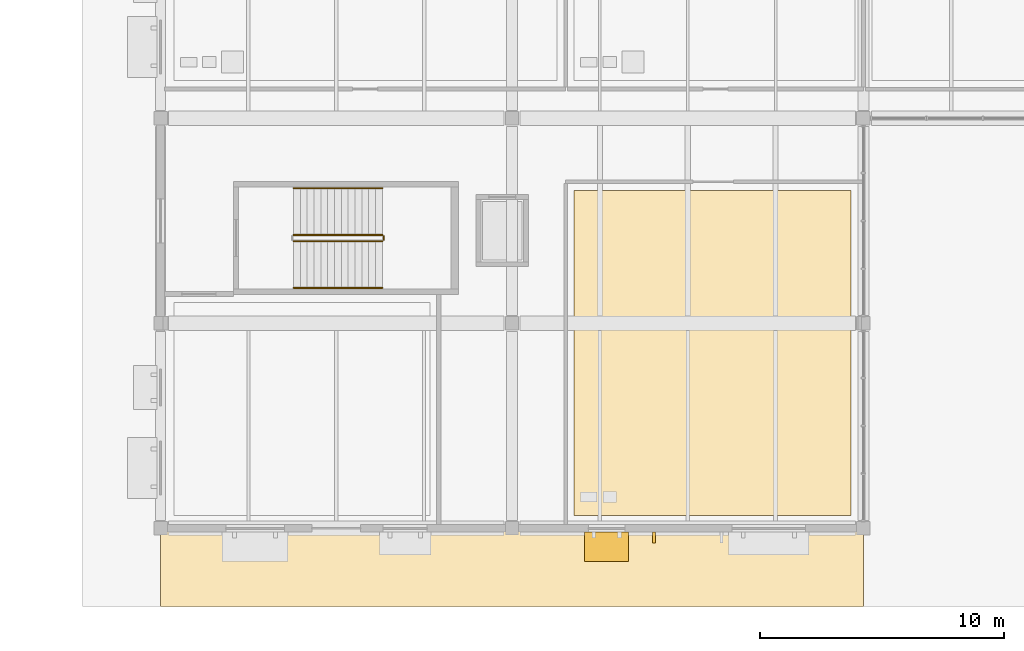
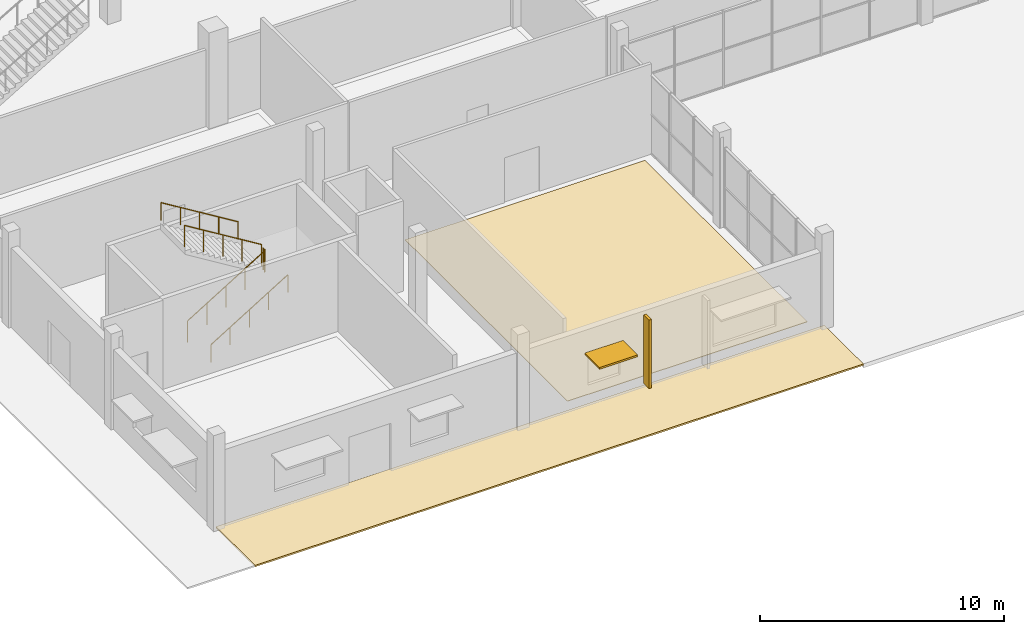
# One storey, part 109 of 130: 5 railings, 2 coverings, 2 shading devices.
"""IFC4 building model written with IfcOpenShell, lengths in metres."""

import ifcopenshell
import ifcopenshell.guid

model = None  # the IFC model being written
_history = None  # IfcOwnerHistory: only IFC2X3 demands one
_inside = {}  # id of a spatial element -> (the spatial element, [elements in it])
_under = {}  # id of a project, library or spatial element -> (it, [spatial elements below it])
_declared = {}  # id of a project -> (the project, [libraries it declares])
_typed = {}  # id of a type object -> (the type object, [elements of that type])
_made_of = {}  # id of a material, layer set ... -> (it, [elements and type objects made of it])


def new_model(schema):
    """Start an empty IFC model of exactly this schema.

    Asked for "IFC4X3", IfcOpenShell would pick the latest addendum, in which some entities
    have other attributes; the version numbers below select the first issue.
    IFC2X3 requires an IfcOwnerHistory on every rooted entity: one is made here for all.
    """
    global model, _history
    if schema == "IFC4X3":
        model = ifcopenshell.file(schema_version=(4, 3, 0, 0))
    else:
        model = ifcopenshell.file(schema=schema)
    _inside.clear()
    _under.clear()
    _declared.clear()
    _typed.clear()
    _made_of.clear()
    _history = None
    if model.schema == "IFC2X3":
        org = make("IfcOrganization", Name="unknown")
        user = make(
            "IfcPersonAndOrganization",
            ThePerson=make("IfcPerson", FamilyName="unknown"),
            TheOrganization=org,
        )
        app = make(
            "IfcApplication",
            ApplicationDeveloper=org,
            Version="unknown",
            ApplicationFullName="unknown",
            ApplicationIdentifier="unknown",
        )
        _history = make(
            "IfcOwnerHistory",
            OwningUser=user,
            OwningApplication=app,
            ChangeAction="ADDED",
            CreationDate=0,
        )
    return model


def make(cls, **values):
    """One entity of the class cls with the attributes given. An attribute that is None is left unset."""
    return model.create_entity(
        cls, **{name: value for name, value in values.items() if value is not None}
    )


def rooted(cls, **values):
    """An entity with a GlobalId (a new one), such as an element, a storey or a relation."""
    return make(cls, GlobalId=ifcopenshell.guid.new(), OwnerHistory=_history, **values)


def si_unit(unit_type, name, prefix=None):
    """IfcSIUnit, for example si_unit("LENGTHUNIT", "METRE", prefix="MILLI")."""
    return make("IfcSIUnit", UnitType=unit_type, Prefix=prefix, Name=name)


def assignment(units):
    """IfcUnitAssignment: the units of a project."""
    return None if units is None else make("IfcUnitAssignment", Units=units)


def point(xyz):
    """IfcCartesianPoint."""
    return None if xyz is None else make("IfcCartesianPoint", Coordinates=xyz)


def direction(xyz):
    """IfcDirection."""
    return None if xyz is None else make("IfcDirection", DirectionRatios=xyz)


def frame(location, z_axis=None, x_axis=None):
    """IfcAxis2Placement3D, a coordinate frame: its origin and axes. An axis left out is left unset."""
    return make(
        "IfcAxis2Placement3D",
        Location=point(location),
        Axis=direction(z_axis),
        RefDirection=direction(x_axis),
    )


def frame_2d(location, x_axis=None):
    """IfcAxis2Placement2D, a coordinate frame in the plane: its origin and x axis."""
    return make(
        "IfcAxis2Placement2D", Location=point(location), RefDirection=direction(x_axis)
    )


def origin():
    """The frame at (0, 0, 0) with its axes left unset."""
    return frame((0.0, 0.0, 0.0))


def origin_2d():
    """The frame at (0, 0) in the plane with its x axis left unset."""
    return frame_2d((0.0, 0.0))


def place(relative_to, where):
    """IfcLocalPlacement: puts the frame where relative to a parent placement (None: the world)."""
    return make(
        "IfcLocalPlacement", PlacementRelTo=relative_to, RelativePlacement=where
    )


def context(
    kind, dimensions, precision=None, world=None, true_north=None, identifier=None
):
    """IfcGeometricRepresentationContext, for example the 3D "Model" context."""
    return make(
        "IfcGeometricRepresentationContext",
        ContextIdentifier=identifier,
        ContextType=kind,
        CoordinateSpaceDimension=dimensions,
        Precision=precision,
        WorldCoordinateSystem=world,
        TrueNorth=true_north,
    )


def subcontext(parent, identifier, kind, view, scale=None):
    """IfcGeometricRepresentationSubContext, for example "Body" below "Model"."""
    return make(
        "IfcGeometricRepresentationSubContext",
        ContextIdentifier=identifier,
        ContextType=kind,
        ParentContext=parent,
        TargetScale=scale,
        TargetView=view,
    )


def project(units=None, contexts=None):
    """IfcProject with its units and contexts."""
    return rooted(
        "IfcProject",
        Name="project",
        RepresentationContexts=contexts,
        UnitsInContext=assignment(units),
    )


def spatial(cls, under=None, at=None, **own):
    """A site, building, storey or space (cls), placed at a placement, below another one or the project."""
    s = rooted(cls, ObjectPlacement=at, **own)
    if under is not None:
        _under.setdefault(under.id(), (under, []))[1].append(s)
    return s


def polyline(points):
    """IfcPolyline through the points."""
    return make("IfcPolyline", Points=[point(p) for p in points])


def profile(cls, at=None, kind="AREA", **sizes):
    """A parametric profile (cls). Its sizes go by their IFC names, for example OverallWidth=200.0."""
    return make(cls, ProfileType=kind, Position=at, **sizes)


def rectangle(**sizes):
    """IfcRectangleProfileDef."""
    return profile("IfcRectangleProfileDef", **sizes)


def circle(**sizes):
    """IfcCircleProfileDef."""
    return profile("IfcCircleProfileDef", **sizes)


def outline(outer, holes=None, kind="AREA"):
    """IfcArbitraryClosedProfileDef: a profile drawn as a closed curve; with holes, ...WithVoids."""
    if holes is None:
        return make("IfcArbitraryClosedProfileDef", ProfileType=kind, OuterCurve=outer)
    return make(
        "IfcArbitraryProfileDefWithVoids",
        ProfileType=kind,
        OuterCurve=outer,
        InnerCurves=holes,
    )


def extrude(swept, where, along, depth):
    """IfcExtrudedAreaSolid: the profile swept, set in the frame where, extruded along a direction by depth."""
    return make(
        "IfcExtrudedAreaSolid",
        SweptArea=swept,
        Position=where,
        ExtrudedDirection=direction(along),
        Depth=depth,
    )


def shape(context_of_items, identifier, shape_type, items):
    """IfcShapeRepresentation: the items that make up one representation, for example the "Body"."""
    return make(
        "IfcShapeRepresentation",
        ContextOfItems=context_of_items,
        RepresentationIdentifier=identifier,
        RepresentationType=shape_type,
        Items=items,
    )


def material(Name=None, Category=None):
    """IfcMaterial."""
    return make("IfcMaterial", Name=Name, Category=Category)


def layer(
    of_material, thickness, ventilated=None, Name=None, Category=None, Priority=None
):
    """IfcMaterialLayer: one layer of a wall or slab, of a material (None: an air gap)."""
    return make(
        "IfcMaterialLayer",
        Material=of_material,
        LayerThickness=thickness,
        IsVentilated=ventilated,
        Name=Name,
        Category=Category,
        Priority=Priority,
    )


def layer_set(layers, Name=None):
    """IfcMaterialLayerSet."""
    return make("IfcMaterialLayerSet", MaterialLayers=layers, LayerSetName=Name)


def made_of(thing, what):
    """Note that an element or type object is made of a material, layer set ...; save() writes the relation."""
    if what is not None:
        _made_of.setdefault(what.id(), (what, []))[1].append(thing)
    return thing


def type_object(cls, material=None, **own):
    """A type object (cls), such as IfcWallType, which elements share."""
    return made_of(rooted(cls, **own), material)


def element(
    cls,
    number,
    at=None,
    inside=None,
    cuts=None,
    type_object=None,
    material=None,
    context=None,
    identifier="Body",
    shape_type=None,
    held_by="IfcProductDefinitionShape",
    body=None,
    shapes=None,
    **own,
):
    """One element of the class cls, such as IfcWall. Its Tag is "e" and its number.

    at: its placement. inside: the storey or other place that contains it. cuts: it is an
    opening in that element (IfcRelVoidsElement). A single representation is given by context,
    identifier, shape_type and body (its items); several are given by shapes. held_by: the class
    of the entity that holds the representations. save() writes the other relations.
    """
    e = rooted(cls, Tag="e%d" % number, ObjectPlacement=at, **own)
    if body is not None:
        shapes = [shape(context, identifier, shape_type, body)]
    if shapes is not None:
        e.Representation = make(held_by, Representations=shapes)
    if inside is not None:
        _inside.setdefault(inside.id(), (inside, []))[1].append(e)
    if cuts is not None:
        rooted(
            "IfcRelVoidsElement", RelatingBuildingElement=cuts, RelatedOpeningElement=e
        )
    if type_object is not None:
        _typed.setdefault(type_object.id(), (type_object, []))[1].append(e)
    return made_of(e, material)


def aggregate(whole, parts):
    """IfcRelAggregates: a whole, such as a stair, and the parts it consists of."""
    return rooted("IfcRelAggregates", RelatingObject=whole, RelatedObjects=parts)


def save(model, path):
    """Write the relations noted so far, then the file.

    IfcRelAggregates (storeys below a building ...), IfcRelContainedInSpatialStructure (elements
    in a storey), IfcRelDefinesByType, IfcRelAssociatesMaterial and IfcRelDeclares: one each for
    every whole, place, type object, material and project.
    """
    for whole, parts in _under.values():
        aggregate(whole, parts)
    for where, things in _inside.values():
        rooted(
            "IfcRelContainedInSpatialStructure",
            RelatedElements=things,
            RelatingStructure=where,
        )
    for kind, things in _typed.values():
        rooted("IfcRelDefinesByType", RelatedObjects=things, RelatingType=kind)
    for what, things in _made_of.values():
        rooted("IfcRelAssociatesMaterial", RelatedObjects=things, RelatingMaterial=what)
    for by, libraries in _declared.values():
        rooted("IfcRelDeclares", RelatingContext=by, RelatedDefinitions=libraries)
    model.write(path)


model = new_model("IFC4")

# Units and contexts
model_context = context("Model", 3, precision=1e-05, world=origin(), true_north=direction((0.0, 1.0)))
body_context = subcontext(model_context, "Body", "Model", "MODEL_VIEW")
ifc_project = project(units=[si_unit("LENGTHUNIT", "METRE"), si_unit("AREAUNIT", "SQUARE_METRE"), si_unit("VOLUMEUNIT", "CUBIC_METRE"), si_unit("PLANEANGLEUNIT", "RADIAN"), si_unit("MASSUNIT", "GRAM", prefix="KILO"), si_unit("THERMODYNAMICTEMPERATUREUNIT", "KELVIN")], contexts=[model_context])

# Site, building, storey
site_placement = place(None, origin())
site = spatial("IfcSite", under=ifc_project, at=site_placement, CompositionType="ELEMENT")
building_placement = place(site_placement, origin())
building = spatial("IfcBuilding", under=site, at=building_placement, Name="Nduvali Passage Aquatics Centre", CompositionType="ELEMENT")
storey_placement = place(building_placement, origin())
storey = spatial("IfcBuildingStorey", under=building, at=storey_placement, Name="L00", CompositionType="ELEMENT", Elevation=0.0)

# Shading devices
ifc_material_1 = material(Name="Glulam GL28h", Category="wood")
shading_device_type_1 = type_object("IfcShadingDeviceType", Name="ENV-SHD-FIN1", PredefinedType="USERDEFINED", material=ifc_material_1)
shading_device_1_placement = place(storey_placement, frame((59.81494140625, -0.375, 0.2001953125), z_axis=(0.0, 0.0, 1.0), x_axis=(1.0, 0.0, 0.0)))
element("IfcShadingDevice", 1, at=shading_device_1_placement, inside=storey, type_object=shading_device_type_1, Name="L00 Vertical Glulam Facade Fin 0005", ObjectType="VERTICAL FIN", PredefinedType="USERDEFINED", context=body_context, shape_type="SweptSolid", body=[
    extrude(rectangle(XDim=0.1201171875, YDim=0.43994140625, at=origin_2d()), origin(), (0.0, 0.0, 1.0), 3.432373046875),
])
ifc_material_2 = material(Name="Aluminium EN AW-6063 T6", Category="aluminium")
ifc_layer_1 = layer(ifc_material_2, 0.090087890625, Name="Aluminium EN AW-6063 T6")
ifc_layer_set_1 = layer_set([ifc_layer_1], Name="Aluminium EN AW-6063 T6")
shading_device_type_2 = type_object("IfcShadingDeviceType", Name="ENV-SHD-SUN1", PredefinedType="AWNING", material=ifc_layer_set_1)
shading_device_2_placement = place(storey_placement, frame((57.8759765625, -0.75, 2.60498046875), z_axis=(0.0, 0.0, 1.0), x_axis=(1.0, 0.0, 0.0)))
element("IfcShadingDevice", 2, at=shading_device_2_placement, inside=storey, type_object=shading_device_type_2, Name="L00 Horizontal Monsoon Sunshade 0003", PredefinedType="AWNING", context=body_context, shape_type="SweptSolid", body=[
    extrude(rectangle(XDim=1.800048828125, YDim=1.199951171875, at=origin_2d()), origin(), (0.0, 0.0, 1.0), 0.090087890625),
])

# Covering
ifc_material_3 = material(Name="Anti-slip ceramic pool deck tile")
ifc_layer_2 = layer(ifc_material_3, 0.02490234375, Name="Anti-slip ceramic pool deck tile")
ifc_layer_set_2 = layer_set([ifc_layer_2], Name="Anti-slip ceramic pool deck tile")
covering_type_1 = type_object("IfcCoveringType", Name="INT-COV-TILE", PredefinedType="FLOORING", material=ifc_layer_set_2)
covering_1_placement = place(storey_placement, origin())
element("IfcCovering", 3, at=covering_1_placement, inside=storey, type_object=covering_type_1, Name="L00 West Pre-Swim Cleansing Shower Gallery Floor Finish", PredefinedType="FLOORING", context=body_context, shape_type="SweptSolid", body=[
    extrude(outline(polyline([(56.550048828125, 0.530029296875), (67.89990234375, 0.530029296875), (67.89990234375, 13.85009765625), (56.550048828125, 13.85009765625), (56.550048828125, 0.530029296875)])), origin(), (0.0, 0.0, 1.0), 0.02490234375),
])

# Railings
ifc_material_4 = material(Name="Stainless steel balustrade", Category="steel")
railing_type_1 = type_object("IfcRailingType", Name="INT-RLG-GRD110", PredefinedType="GUARDRAIL", material=ifc_material_4)
railing_1_placement = place(storey_placement, frame((45.050048828125, 11.77001953125, 0.17138671875)))
element("IfcRailing", 4, at=railing_1_placement, inside=storey, type_object=railing_type_1, Name="L00 ST5 stair guard 1", PredefinedType="GUARDRAIL", context=body_context, shape_type="SweptSolid", body=[
    extrude(circle(Radius=0.02392578125, at=origin_2d()), frame((0.0, 0.0, 1.076171875), z_axis=(0.852850264322, 0.0, 0.5221555579), x_axis=(0.0, 1.0, 0.0)), (0.0, 0.0, 1.0), 4.267822265625),
    extrude(circle(Radius=0.02099609375, at=origin_2d()), origin(), (0.0, 0.0, 1.0), 1.052001953125),
    extrude(circle(Radius=0.02099609375, at=origin_2d()), frame((0.909912109375, 0.0, 0.55712890625)), (0.0, 0.0, 1.0), 1.052001953125),
    extrude(circle(Radius=0.02099609375, at=origin_2d()), frame((1.81982421875, 0.0, 1.1142578125)), (0.0, 0.0, 1.0), 1.052001953125),
    extrude(circle(Radius=0.02099609375, at=origin_2d()), frame((2.72998046875, 0.0, 1.67138671875)), (0.0, 0.0, 1.0), 1.052001953125),
    extrude(circle(Radius=0.02099609375, at=origin_2d()), frame((3.639892578125, 0.0, 2.228515625)), (0.0, 0.0, 1.0), 1.052001953125),
])
railing_2_placement = place(storey_placement, frame((48.739990234375, 11.820068359375, 2.39990234375)))
element("IfcRailing", 5, at=railing_2_placement, inside=storey, type_object=railing_type_1, Name="L00 ST5 stair guard 2", PredefinedType="GUARDRAIL", context=body_context, shape_type="SweptSolid", body=[
    extrude(circle(Radius=0.02392578125, at=origin_2d()), frame((0.0, 0.0, 1.076171875), z_axis=(0.0, 1.0, 0.0), x_axis=(-1.0, 0.0, 0.0)), (0.0, 0.0, 1.0), 0.14990234375),
    extrude(circle(Radius=0.02099609375, at=origin_2d()), origin(), (0.0, 0.0, 1.0), 1.052001953125),
    extrude(circle(Radius=0.02099609375, at=origin_2d()), frame((0.0, 0.14990234375, 0.0)), (0.0, 0.0, 1.0), 1.052001953125),
])
railing_3_placement = place(storey_placement, frame((48.68994140625, 12.02001953125, 2.571533203125)))
element("IfcRailing", 6, at=railing_3_placement, inside=storey, type_object=railing_type_1, Name="L00 ST5 stair guard 3", PredefinedType="GUARDRAIL", context=body_context, shape_type="SweptSolid", body=[
    extrude(circle(Radius=0.02392578125, at=origin_2d()), frame((0.0, 0.0, 1.076171875), z_axis=(-0.852850264322, 0.0, 0.5221555579), x_axis=(0.0, -1.0, 0.0)), (0.0, 0.0, 1.0), 4.267822265625),
    extrude(circle(Radius=0.02099609375, at=origin_2d()), origin(), (0.0, 0.0, 1.0), 1.052001953125),
    extrude(circle(Radius=0.02099609375, at=origin_2d()), frame((-0.909912109375, 0.0, 0.55712890625)), (0.0, 0.0, 1.0), 1.052001953125),
    extrude(circle(Radius=0.02099609375, at=origin_2d()), frame((-1.81982421875, 0.0, 1.1142578125)), (0.0, 0.0, 1.0), 1.052001953125),
    extrude(circle(Radius=0.02099609375, at=origin_2d()), frame((-2.72998046875, 0.0, 1.67138671875)), (0.0, 0.0, 1.0), 1.052001953125),
    extrude(circle(Radius=0.02099609375, at=origin_2d()), frame((-3.639892578125, 0.0, 2.228515625)), (0.0, 0.0, 1.0), 1.052001953125),
])
railing_type_2 = type_object("IfcRailingType", Name="INT-RLG-HND90", PredefinedType="HANDRAIL", material=ifc_material_4)
railing_4_placement = place(storey_placement, frame((45.050048828125, 9.85009765625, 0.346435546875)))
element("IfcRailing", 7, at=railing_4_placement, inside=storey, type_object=railing_type_2, Name="L00 ST5 stair handrail 1", PredefinedType="HANDRAIL", context=body_context, shape_type="SweptSolid", body=[
    extrude(circle(Radius=0.02392578125, at=origin_2d()), frame((0.0, 0.0, 0.8759765625), z_axis=(0.852850264322, 0.0, 0.5221555579), x_axis=(0.0, 1.0, 0.0)), (0.0, 0.0, 1.0), 4.267822265625),
    extrude(circle(Radius=0.02099609375, at=origin_2d()), origin(), (0.0, 0.0, 1.0), 0.851806640625),
    extrude(circle(Radius=0.02099609375, at=origin_2d()), frame((0.909912109375, 0.0, 0.55712890625)), (0.0, 0.0, 1.0), 0.851806640625),
    extrude(circle(Radius=0.02099609375, at=origin_2d()), frame((1.81982421875, 0.0, 1.1142578125)), (0.0, 0.0, 1.0), 0.851806640625),
    extrude(circle(Radius=0.02099609375, at=origin_2d()), frame((2.72998046875, 0.0, 1.67138671875)), (0.0, 0.0, 1.0), 0.851806640625),
    extrude(circle(Radius=0.02099609375, at=origin_2d()), frame((3.639892578125, 0.0, 2.228515625)), (0.0, 0.0, 1.0), 0.851806640625),
])
railing_5_placement = place(storey_placement, frame((48.68994140625, 13.93994140625, 2.746337890625)))
element("IfcRailing", 8, at=railing_5_placement, inside=storey, type_object=railing_type_2, Name="L00 ST5 stair handrail 2", PredefinedType="HANDRAIL", context=body_context, shape_type="SweptSolid", body=[
    extrude(circle(Radius=0.02392578125, at=origin_2d()), frame((0.0, 0.0, 0.8759765625), z_axis=(-0.852850264322, 0.0, 0.5221555579), x_axis=(0.0, -1.0, 0.0)), (0.0, 0.0, 1.0), 4.267822265625),
    extrude(circle(Radius=0.02099609375, at=origin_2d()), origin(), (0.0, 0.0, 1.0), 0.851806640625),
    extrude(circle(Radius=0.02099609375, at=origin_2d()), frame((-0.909912109375, 0.0, 0.55712890625)), (0.0, 0.0, 1.0), 0.851806640625),
    extrude(circle(Radius=0.02099609375, at=origin_2d()), frame((-1.81982421875, 0.0, 1.1142578125)), (0.0, 0.0, 1.0), 0.851806640625),
    extrude(circle(Radius=0.02099609375, at=origin_2d()), frame((-2.72998046875, 0.0, 1.67138671875)), (0.0, 0.0, 1.0), 0.851806640625),
    extrude(circle(Radius=0.02099609375, at=origin_2d()), frame((-3.639892578125, 0.0, 2.228515625)), (0.0, 0.0, 1.0), 0.851806640625),
])

# Covering
ifc_material_5 = material(Name="Coral-stone masonry blockwork", Category="masonry")
ifc_layer_3 = layer(ifc_material_5, 0.080078125, Name="Coral-stone masonry blockwork")
ifc_layer_set_3 = layer_set([ifc_layer_3], Name="Coral-stone masonry blockwork")
covering_type_2 = type_object("IfcCoveringType", Name="STR-COV-PAV80", PredefinedType="USERDEFINED", material=ifc_layer_set_3)
covering_2_placement = place(storey_placement, frame((0.0, 0.0, -0.080078125)))
element("IfcCovering", 9, at=covering_2_placement, inside=storey, type_object=covering_type_2, Name="L00 South Avenue West Promenade Paving", ObjectType="PAVING", PredefinedType="USERDEFINED", context=body_context, shape_type="SweptSolid", body=[
    extrude(outline(polyline([(39.60009765625, -3.199951171875), (68.39990234375, -3.199951171875), (68.39990234375, 0.0), (39.60009765625, 0.0), (39.60009765625, -3.199951171875)])), origin(), (0.0, 0.0, 1.0), 0.080078125),
])

save(model, "model.ifc")
